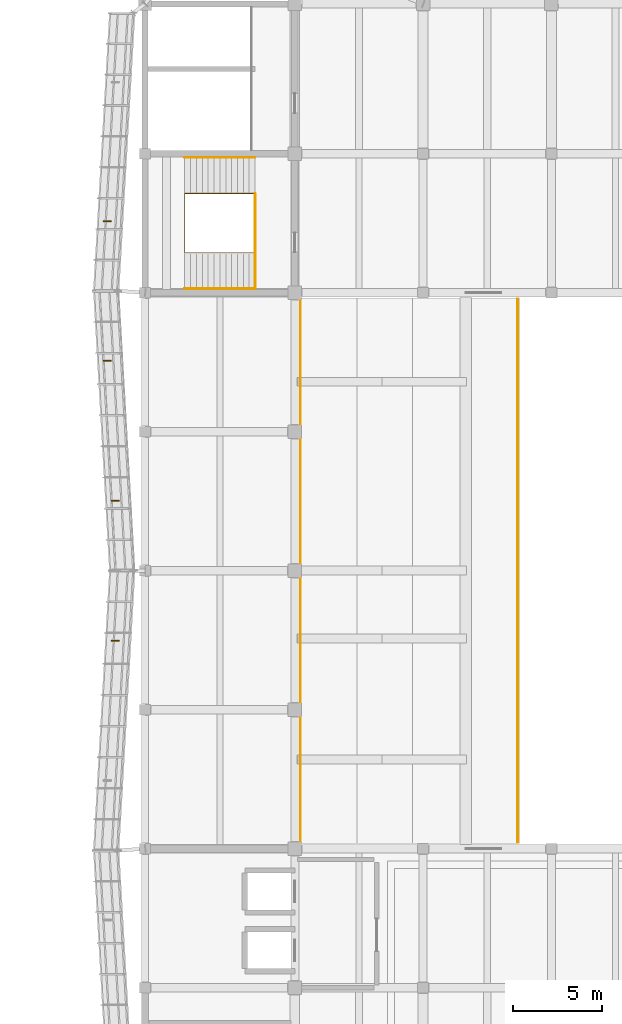
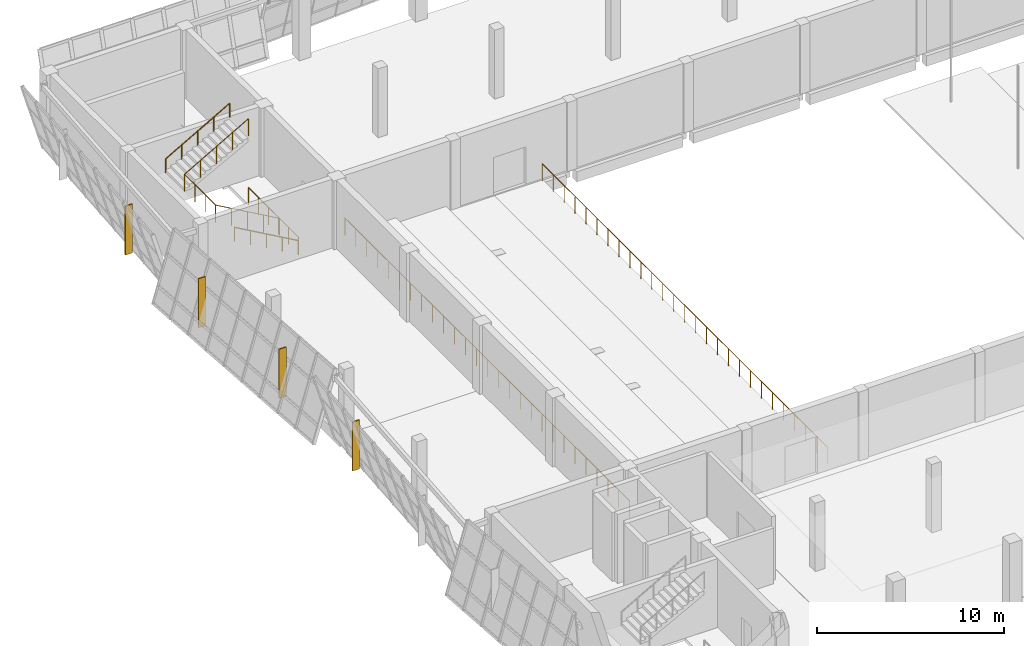
# One storey, part 65 of 71: 6 railings, 4 shading devices.
"""IFC4 building model written with IfcOpenShell, lengths in metres."""

import ifcopenshell
import ifcopenshell.guid

model = None  # the IFC model being written
_history = None  # IfcOwnerHistory: only IFC2X3 demands one
_inside = {}  # id of a spatial element -> (the spatial element, [elements in it])
_under = {}  # id of a project, library or spatial element -> (it, [spatial elements below it])
_declared = {}  # id of a project -> (the project, [libraries it declares])
_typed = {}  # id of a type object -> (the type object, [elements of that type])
_made_of = {}  # id of a material, layer set ... -> (it, [elements and type objects made of it])


def new_model(schema):
    """Start an empty IFC model of exactly this schema.

    Asked for "IFC4X3", IfcOpenShell would pick the latest addendum, in which some entities
    have other attributes; the version numbers below select the first issue.
    IFC2X3 requires an IfcOwnerHistory on every rooted entity: one is made here for all.
    """
    global model, _history
    if schema == "IFC4X3":
        model = ifcopenshell.file(schema_version=(4, 3, 0, 0))
    else:
        model = ifcopenshell.file(schema=schema)
    _inside.clear()
    _under.clear()
    _declared.clear()
    _typed.clear()
    _made_of.clear()
    _history = None
    if model.schema == "IFC2X3":
        org = make("IfcOrganization", Name="unknown")
        user = make(
            "IfcPersonAndOrganization",
            ThePerson=make("IfcPerson", FamilyName="unknown"),
            TheOrganization=org,
        )
        app = make(
            "IfcApplication",
            ApplicationDeveloper=org,
            Version="unknown",
            ApplicationFullName="unknown",
            ApplicationIdentifier="unknown",
        )
        _history = make(
            "IfcOwnerHistory",
            OwningUser=user,
            OwningApplication=app,
            ChangeAction="ADDED",
            CreationDate=0,
        )
    return model


def make(cls, **values):
    """One entity of the class cls with the attributes given. An attribute that is None is left unset."""
    return model.create_entity(
        cls, **{name: value for name, value in values.items() if value is not None}
    )


def rooted(cls, **values):
    """An entity with a GlobalId (a new one), such as an element, a storey or a relation."""
    return make(cls, GlobalId=ifcopenshell.guid.new(), OwnerHistory=_history, **values)


def si_unit(unit_type, name, prefix=None):
    """IfcSIUnit, for example si_unit("LENGTHUNIT", "METRE", prefix="MILLI")."""
    return make("IfcSIUnit", UnitType=unit_type, Prefix=prefix, Name=name)


def assignment(units):
    """IfcUnitAssignment: the units of a project."""
    return None if units is None else make("IfcUnitAssignment", Units=units)


def point(xyz):
    """IfcCartesianPoint."""
    return None if xyz is None else make("IfcCartesianPoint", Coordinates=xyz)


def direction(xyz):
    """IfcDirection."""
    return None if xyz is None else make("IfcDirection", DirectionRatios=xyz)


def frame(location, z_axis=None, x_axis=None):
    """IfcAxis2Placement3D, a coordinate frame: its origin and axes. An axis left out is left unset."""
    return make(
        "IfcAxis2Placement3D",
        Location=point(location),
        Axis=direction(z_axis),
        RefDirection=direction(x_axis),
    )


def frame_2d(location, x_axis=None):
    """IfcAxis2Placement2D, a coordinate frame in the plane: its origin and x axis."""
    return make(
        "IfcAxis2Placement2D", Location=point(location), RefDirection=direction(x_axis)
    )


def origin():
    """The frame at (0, 0, 0) with its axes left unset."""
    return frame((0.0, 0.0, 0.0))


def origin_2d():
    """The frame at (0, 0) in the plane with its x axis left unset."""
    return frame_2d((0.0, 0.0))


def place(relative_to, where):
    """IfcLocalPlacement: puts the frame where relative to a parent placement (None: the world)."""
    return make(
        "IfcLocalPlacement", PlacementRelTo=relative_to, RelativePlacement=where
    )


def context(
    kind, dimensions, precision=None, world=None, true_north=None, identifier=None
):
    """IfcGeometricRepresentationContext, for example the 3D "Model" context."""
    return make(
        "IfcGeometricRepresentationContext",
        ContextIdentifier=identifier,
        ContextType=kind,
        CoordinateSpaceDimension=dimensions,
        Precision=precision,
        WorldCoordinateSystem=world,
        TrueNorth=true_north,
    )


def subcontext(parent, identifier, kind, view, scale=None):
    """IfcGeometricRepresentationSubContext, for example "Body" below "Model"."""
    return make(
        "IfcGeometricRepresentationSubContext",
        ContextIdentifier=identifier,
        ContextType=kind,
        ParentContext=parent,
        TargetScale=scale,
        TargetView=view,
    )


def project(units=None, contexts=None):
    """IfcProject with its units and contexts."""
    return rooted(
        "IfcProject",
        Name="project",
        RepresentationContexts=contexts,
        UnitsInContext=assignment(units),
    )


def spatial(cls, under=None, at=None, **own):
    """A site, building, storey or space (cls), placed at a placement, below another one or the project."""
    s = rooted(cls, ObjectPlacement=at, **own)
    if under is not None:
        _under.setdefault(under.id(), (under, []))[1].append(s)
    return s


def profile(cls, at=None, kind="AREA", **sizes):
    """A parametric profile (cls). Its sizes go by their IFC names, for example OverallWidth=200.0."""
    return make(cls, ProfileType=kind, Position=at, **sizes)


def rectangle(**sizes):
    """IfcRectangleProfileDef."""
    return profile("IfcRectangleProfileDef", **sizes)


def circle(**sizes):
    """IfcCircleProfileDef."""
    return profile("IfcCircleProfileDef", **sizes)


def extrude(swept, where, along, depth):
    """IfcExtrudedAreaSolid: the profile swept, set in the frame where, extruded along a direction by depth."""
    return make(
        "IfcExtrudedAreaSolid",
        SweptArea=swept,
        Position=where,
        ExtrudedDirection=direction(along),
        Depth=depth,
    )


def shape(context_of_items, identifier, shape_type, items):
    """IfcShapeRepresentation: the items that make up one representation, for example the "Body"."""
    return make(
        "IfcShapeRepresentation",
        ContextOfItems=context_of_items,
        RepresentationIdentifier=identifier,
        RepresentationType=shape_type,
        Items=items,
    )


def material(Name=None, Category=None):
    """IfcMaterial."""
    return make("IfcMaterial", Name=Name, Category=Category)


def made_of(thing, what):
    """Note that an element or type object is made of a material, layer set ...; save() writes the relation."""
    if what is not None:
        _made_of.setdefault(what.id(), (what, []))[1].append(thing)
    return thing


def type_object(cls, material=None, **own):
    """A type object (cls), such as IfcWallType, which elements share."""
    return made_of(rooted(cls, **own), material)


def element(
    cls,
    number,
    at=None,
    inside=None,
    cuts=None,
    type_object=None,
    material=None,
    context=None,
    identifier="Body",
    shape_type=None,
    held_by="IfcProductDefinitionShape",
    body=None,
    shapes=None,
    **own,
):
    """One element of the class cls, such as IfcWall. Its Tag is "e" and its number.

    at: its placement. inside: the storey or other place that contains it. cuts: it is an
    opening in that element (IfcRelVoidsElement). A single representation is given by context,
    identifier, shape_type and body (its items); several are given by shapes. held_by: the class
    of the entity that holds the representations. save() writes the other relations.
    """
    e = rooted(cls, Tag="e%d" % number, ObjectPlacement=at, **own)
    if body is not None:
        shapes = [shape(context, identifier, shape_type, body)]
    if shapes is not None:
        e.Representation = make(held_by, Representations=shapes)
    if inside is not None:
        _inside.setdefault(inside.id(), (inside, []))[1].append(e)
    if cuts is not None:
        rooted(
            "IfcRelVoidsElement", RelatingBuildingElement=cuts, RelatedOpeningElement=e
        )
    if type_object is not None:
        _typed.setdefault(type_object.id(), (type_object, []))[1].append(e)
    return made_of(e, material)


def aggregate(whole, parts):
    """IfcRelAggregates: a whole, such as a stair, and the parts it consists of."""
    return rooted("IfcRelAggregates", RelatingObject=whole, RelatedObjects=parts)


def save(model, path):
    """Write the relations noted so far, then the file.

    IfcRelAggregates (storeys below a building ...), IfcRelContainedInSpatialStructure (elements
    in a storey), IfcRelDefinesByType, IfcRelAssociatesMaterial and IfcRelDeclares: one each for
    every whole, place, type object, material and project.
    """
    for whole, parts in _under.values():
        aggregate(whole, parts)
    for where, things in _inside.values():
        rooted(
            "IfcRelContainedInSpatialStructure",
            RelatedElements=things,
            RelatingStructure=where,
        )
    for kind, things in _typed.values():
        rooted("IfcRelDefinesByType", RelatedObjects=things, RelatingType=kind)
    for what, things in _made_of.values():
        rooted("IfcRelAssociatesMaterial", RelatedObjects=things, RelatingMaterial=what)
    for by, libraries in _declared.values():
        rooted("IfcRelDeclares", RelatingContext=by, RelatedDefinitions=libraries)
    model.write(path)


model = new_model("IFC4")

# Units and contexts
model_context = context("Model", 3, precision=1e-05, world=origin(), true_north=direction((0.0, 1.0)))
body_context = subcontext(model_context, "Body", "Model", "MODEL_VIEW")
ifc_project = project(units=[si_unit("LENGTHUNIT", "METRE"), si_unit("AREAUNIT", "SQUARE_METRE"), si_unit("VOLUMEUNIT", "CUBIC_METRE"), si_unit("PLANEANGLEUNIT", "RADIAN"), si_unit("MASSUNIT", "GRAM", prefix="KILO")], contexts=[model_context])

# Site, building, storey
site_placement = place(None, origin())
site = spatial("IfcSite", under=ifc_project, at=site_placement, CompositionType="ELEMENT")
building_placement = place(site_placement, origin())
building = spatial("IfcBuilding", under=site, at=building_placement, Name="Pellamere Symphony Hall", CompositionType="ELEMENT")
storey_placement = place(building_placement, frame((0.0, 0.0, 15.0)))
storey = spatial("IfcBuildingStorey", under=building, at=storey_placement, Name="L03", CompositionType="ELEMENT", Elevation=15.0)

# Railings
ifc_material_1 = material(Name="Laminated Low-Iron Acoustic Balustrade Glass", Category="glass")
railing_type_1 = type_object("IfcRailingType", Name="Balustrade BL-01 H1120 Laminated", PredefinedType="BALUSTRADE", material=ifc_material_1)
railing_1_placement = place(storey_placement, frame((71.320068359375, 46.550048828125, 0.0)))
element("IfcRailing", 1, at=railing_1_placement, inside=storey, type_object=railing_type_1, Name="Main Hall Choir Gallery Cross-Aisle Concourse Front Balustrade", PredefinedType="BALUSTRADE", context=body_context, shape_type="SweptSolid", body=[
    extrude(circle(Radius=0.02392578125, at=origin_2d()), frame((0.0, 0.0, 1.09619140625), z_axis=(0.0, 1.0, 0.0), x_axis=(-1.0, 0.0, 0.0)), (0.0, 0.0, 1.0), 30.5),
    extrude(circle(Radius=0.02099609375, at=origin_2d()), origin(), (0.0, 0.0, 1.0), 1.072021484375),
    extrude(circle(Radius=0.02099609375, at=origin_2d()), frame((0.0, 1.173095703125, 0.0)), (0.0, 0.0, 1.0), 1.072021484375),
    extrude(circle(Radius=0.02099609375, at=origin_2d()), frame((0.0, 2.34619140625, 0.0)), (0.0, 0.0, 1.0), 1.072021484375),
    extrude(circle(Radius=0.02099609375, at=origin_2d()), frame((0.0, 3.519287109375, 0.0)), (0.0, 0.0, 1.0), 1.072021484375),
    extrude(circle(Radius=0.02099609375, at=origin_2d()), frame((0.0, 4.6923828125, 0.0)), (0.0, 0.0, 1.0), 1.072021484375),
    extrude(circle(Radius=0.02099609375, at=origin_2d()), frame((0.0, 5.865478515625, 0.0)), (0.0, 0.0, 1.0), 1.072021484375),
    extrude(circle(Radius=0.02099609375, at=origin_2d()), frame((0.0, 7.03857421875, 0.0)), (0.0, 0.0, 1.0), 1.072021484375),
    extrude(circle(Radius=0.02099609375, at=origin_2d()), frame((0.0, 8.21142578125, 0.0)), (0.0, 0.0, 1.0), 1.072021484375),
    extrude(circle(Radius=0.02099609375, at=origin_2d()), frame((0.0, 9.384521484375, 0.0)), (0.0, 0.0, 1.0), 1.072021484375),
    extrude(circle(Radius=0.02099609375, at=origin_2d()), frame((0.0, 10.5576171875, 0.0)), (0.0, 0.0, 1.0), 1.072021484375),
    extrude(circle(Radius=0.02099609375, at=origin_2d()), frame((0.0, 11.730712890625, 0.0)), (0.0, 0.0, 1.0), 1.072021484375),
    extrude(circle(Radius=0.02099609375, at=origin_2d()), frame((0.0, 12.90380859375, 0.0)), (0.0, 0.0, 1.0), 1.072021484375),
    extrude(circle(Radius=0.02099609375, at=origin_2d()), frame((0.0, 14.076904296875, 0.0)), (0.0, 0.0, 1.0), 1.072021484375),
    extrude(circle(Radius=0.02099609375, at=origin_2d()), frame((0.0, 15.25, 0.0)), (0.0, 0.0, 1.0), 1.072021484375),
    extrude(circle(Radius=0.02099609375, at=origin_2d()), frame((0.0, 16.423095703125, 0.0)), (0.0, 0.0, 1.0), 1.072021484375),
    extrude(circle(Radius=0.02099609375, at=origin_2d()), frame((0.0, 17.59619140625, 0.0)), (0.0, 0.0, 1.0), 1.072021484375),
    extrude(circle(Radius=0.02099609375, at=origin_2d()), frame((0.0, 18.769287109375, 0.0)), (0.0, 0.0, 1.0), 1.072021484375),
    extrude(circle(Radius=0.02099609375, at=origin_2d()), frame((0.0, 19.9423828125, 0.0)), (0.0, 0.0, 1.0), 1.072021484375),
    extrude(circle(Radius=0.02099609375, at=origin_2d()), frame((0.0, 21.115478515625, 0.0)), (0.0, 0.0, 1.0), 1.072021484375),
    extrude(circle(Radius=0.02099609375, at=origin_2d()), frame((0.0, 22.28857421875, 0.0)), (0.0, 0.0, 1.0), 1.072021484375),
    extrude(circle(Radius=0.02099609375, at=origin_2d()), frame((0.0, 23.46142578125, 0.0)), (0.0, 0.0, 1.0), 1.072021484375),
    extrude(circle(Radius=0.02099609375, at=origin_2d()), frame((0.0, 24.634521484375, 0.0)), (0.0, 0.0, 1.0), 1.072021484375),
    extrude(circle(Radius=0.02099609375, at=origin_2d()), frame((0.0, 25.8076171875, 0.0)), (0.0, 0.0, 1.0), 1.072021484375),
    extrude(circle(Radius=0.02099609375, at=origin_2d()), frame((0.0, 26.980712890625, 0.0)), (0.0, 0.0, 1.0), 1.072021484375),
    extrude(circle(Radius=0.02099609375, at=origin_2d()), frame((0.0, 28.15380859375, 0.0)), (0.0, 0.0, 1.0), 1.072021484375),
    extrude(circle(Radius=0.02099609375, at=origin_2d()), frame((0.0, 29.326904296875, 0.0)), (0.0, 0.0, 1.0), 1.072021484375),
    extrude(circle(Radius=0.02099609375, at=origin_2d()), frame((0.0, 30.5, 0.0)), (0.0, 0.0, 1.0), 1.072021484375),
])
ifc_material_2 = material(Name="Architectural Bronze-Anodised Aluminium Balustrade", Category="aluminium")
railing_type_2 = type_object("IfcRailingType", Name="Balustrade BL-02 H1150 Architectural", PredefinedType="BALUSTRADE", material=ifc_material_2)
railing_2_placement = place(storey_placement, frame((59.1201171875, 46.550048828125, 0.699951171875)))
element("IfcRailing", 2, at=railing_2_placement, inside=storey, type_object=railing_type_2, Name="Safety Guardrail BL-M-L03W", PredefinedType="BALUSTRADE", context=body_context, shape_type="SweptSolid", body=[
    extrude(circle(Radius=0.02392578125, at=origin_2d()), frame((0.0, 0.0, 1.1259765625), z_axis=(0.0, 1.0, 0.0), x_axis=(-1.0, 0.0, 0.0)), (0.0, 0.0, 1.0), 30.5),
    extrude(circle(Radius=0.02099609375, at=origin_2d()), origin(), (0.0, 0.0, 1.0), 1.101806640625),
    extrude(circle(Radius=0.02099609375, at=origin_2d()), frame((0.0, 1.173095703125, 0.0)), (0.0, 0.0, 1.0), 1.101806640625),
    extrude(circle(Radius=0.02099609375, at=origin_2d()), frame((0.0, 2.34619140625, 0.0)), (0.0, 0.0, 1.0), 1.101806640625),
    extrude(circle(Radius=0.02099609375, at=origin_2d()), frame((0.0, 3.519287109375, 0.0)), (0.0, 0.0, 1.0), 1.101806640625),
    extrude(circle(Radius=0.02099609375, at=origin_2d()), frame((0.0, 4.6923828125, 0.0)), (0.0, 0.0, 1.0), 1.101806640625),
    extrude(circle(Radius=0.02099609375, at=origin_2d()), frame((0.0, 5.865478515625, 0.0)), (0.0, 0.0, 1.0), 1.101806640625),
    extrude(circle(Radius=0.02099609375, at=origin_2d()), frame((0.0, 7.03857421875, 0.0)), (0.0, 0.0, 1.0), 1.101806640625),
    extrude(circle(Radius=0.02099609375, at=origin_2d()), frame((0.0, 8.21142578125, 0.0)), (0.0, 0.0, 1.0), 1.101806640625),
    extrude(circle(Radius=0.02099609375, at=origin_2d()), frame((0.0, 9.384521484375, 0.0)), (0.0, 0.0, 1.0), 1.101806640625),
    extrude(circle(Radius=0.02099609375, at=origin_2d()), frame((0.0, 10.5576171875, 0.0)), (0.0, 0.0, 1.0), 1.101806640625),
    extrude(circle(Radius=0.02099609375, at=origin_2d()), frame((0.0, 11.730712890625, 0.0)), (0.0, 0.0, 1.0), 1.101806640625),
    extrude(circle(Radius=0.02099609375, at=origin_2d()), frame((0.0, 12.90380859375, 0.0)), (0.0, 0.0, 1.0), 1.101806640625),
    extrude(circle(Radius=0.02099609375, at=origin_2d()), frame((0.0, 14.076904296875, 0.0)), (0.0, 0.0, 1.0), 1.101806640625),
    extrude(circle(Radius=0.02099609375, at=origin_2d()), frame((0.0, 15.25, 0.0)), (0.0, 0.0, 1.0), 1.101806640625),
    extrude(circle(Radius=0.02099609375, at=origin_2d()), frame((0.0, 16.423095703125, 0.0)), (0.0, 0.0, 1.0), 1.101806640625),
    extrude(circle(Radius=0.02099609375, at=origin_2d()), frame((0.0, 17.59619140625, 0.0)), (0.0, 0.0, 1.0), 1.101806640625),
    extrude(circle(Radius=0.02099609375, at=origin_2d()), frame((0.0, 18.769287109375, 0.0)), (0.0, 0.0, 1.0), 1.101806640625),
    extrude(circle(Radius=0.02099609375, at=origin_2d()), frame((0.0, 19.9423828125, 0.0)), (0.0, 0.0, 1.0), 1.101806640625),
    extrude(circle(Radius=0.02099609375, at=origin_2d()), frame((0.0, 21.115478515625, 0.0)), (0.0, 0.0, 1.0), 1.101806640625),
    extrude(circle(Radius=0.02099609375, at=origin_2d()), frame((0.0, 22.28857421875, 0.0)), (0.0, 0.0, 1.0), 1.101806640625),
    extrude(circle(Radius=0.02099609375, at=origin_2d()), frame((0.0, 23.46142578125, 0.0)), (0.0, 0.0, 1.0), 1.101806640625),
    extrude(circle(Radius=0.02099609375, at=origin_2d()), frame((0.0, 24.634521484375, 0.0)), (0.0, 0.0, 1.0), 1.101806640625),
    extrude(circle(Radius=0.02099609375, at=origin_2d()), frame((0.0, 25.8076171875, 0.0)), (0.0, 0.0, 1.0), 1.101806640625),
    extrude(circle(Radius=0.02099609375, at=origin_2d()), frame((0.0, 26.980712890625, 0.0)), (0.0, 0.0, 1.0), 1.101806640625),
    extrude(circle(Radius=0.02099609375, at=origin_2d()), frame((0.0, 28.15380859375, 0.0)), (0.0, 0.0, 1.0), 1.101806640625),
    extrude(circle(Radius=0.02099609375, at=origin_2d()), frame((0.0, 29.326904296875, 0.0)), (0.0, 0.0, 1.0), 1.101806640625),
    extrude(circle(Radius=0.02099609375, at=origin_2d()), frame((0.0, 30.5, 0.0)), (0.0, 0.0, 1.0), 1.101806640625),
])

# Shading devices
ifc_material_3 = material(Name="Champagne-Anodised Extruded Aluminium 6063-T6", Category="aluminium")
shading_device_type = type_object("IfcShadingDeviceType", Name="Exterior Shading SD-01 65x450", PredefinedType="SHUTTER", material=ifc_material_3)
for number, where, z_axis, x_axis, name in (
    (3, (48.2685546875, 81.39990234375, 0.64990234375), (0.0, 0.0, 1.0), (0.0, 1.0, 0.0), "Crystal Acoustic Sunshade Fin CW-CR15 (L03)"),
    (4, (48.2685546875, 73.574951171875, 0.64990234375), (0.0, 0.0, 1.0), (0.0, 1.0, 0.0), "Crystal Acoustic Sunshade Fin CW-CR16 (L03)"),
    (5, (48.718505859375, 65.72509765625, 0.64990234375), (0.0, 0.0, 1.0), (0.0, 1.0, 0.0), "Crystal Acoustic Sunshade Fin CW-CR16 (L03)"),
    (6, (48.718505859375, 57.875, 0.64990234375), (0.0, 0.0, 1.0), (0.0, 1.0, 0.0), "Crystal Acoustic Sunshade Fin CW-CR17 (L03)"),
):
    element("IfcShadingDevice", number, at=place(storey_placement, frame(where, z_axis=z_axis, x_axis=x_axis)), inside=storey, type_object=shading_device_type, Name=name, PredefinedType="SHUTTER", context=body_context, shape_type="SweptSolid", body=[
        extrude(rectangle(XDim=0.06494140625, YDim=0.449951171875, at=origin_2d()), origin(), (0.0, 0.0, 1.0), 3.199951171875),
    ])

# Railings
ifc_material_4 = material(Name="Painted Steel CSA G40.21 350W", Category="steel")
railing_type_3 = type_object("IfcRailingType", Name="Guardrail GR-02 H1150 Painted", PredefinedType="GUARDRAIL", material=ifc_material_4)
railing_3_placement = place(storey_placement, frame((56.574951171875, 79.639892578125, 0.0)))
element("IfcRailing", 7, at=railing_3_placement, inside=storey, type_object=railing_type_3, Name="Stair ST07-L03 Continuous Well Guardrail (L03)", PredefinedType="GUARDRAIL", context=body_context, shape_type="SweptSolid", body=[
    extrude(circle(Radius=0.02392578125, at=origin_2d()), frame((0.0, 0.0, 1.1259765625), z_axis=(-0.868916562865, 0.0, 0.494958590974), x_axis=(0.0, -1.0, 0.0)), (0.0, 0.0, 1.0), 4.5458984375),
    extrude(circle(Radius=0.02392578125, at=origin_2d()), frame((-3.949951171875, 0.0, 3.3759765625), z_axis=(0.0, 1.0, 0.0), x_axis=(-1.0, 0.0, 0.0)), (0.0, 0.0, 1.0), 3.320068359375),
    extrude(circle(Radius=0.02392578125, at=origin_2d()), frame((-3.949951171875, 3.320068359375, 3.3759765625), z_axis=(0.868916562865, 0.0, 0.494958590974), x_axis=(0.0, 1.0, 0.0)), (0.0, 0.0, 1.0), 4.5458984375),
    extrude(circle(Radius=0.02099609375, at=origin_2d()), origin(), (0.0, 0.0, 1.0), 1.101806640625),
    extrude(circle(Radius=0.02099609375, at=origin_2d()), frame((-0.987548828125, 0.0, 0.5625)), (0.0, 0.0, 1.0), 1.101806640625),
    extrude(circle(Radius=0.02099609375, at=origin_2d()), frame((-1.97509765625, 0.0, 1.125)), (0.0, 0.0, 1.0), 1.101806640625),
    extrude(circle(Radius=0.02099609375, at=origin_2d()), frame((-2.96240234375, 0.0, 1.6875)), (0.0, 0.0, 1.0), 1.101806640625),
    extrude(circle(Radius=0.02099609375, at=origin_2d()), frame((-3.949951171875, 0.0, 2.25)), (0.0, 0.0, 1.0), 1.101806640625),
    extrude(circle(Radius=0.02099609375, at=origin_2d()), frame((-3.949951171875, 1.106689453125, 2.25)), (0.0, 0.0, 1.0), 1.101806640625),
    extrude(circle(Radius=0.02099609375, at=origin_2d()), frame((-3.949951171875, 2.21337890625, 2.25)), (0.0, 0.0, 1.0), 1.101806640625),
    extrude(circle(Radius=0.02099609375, at=origin_2d()), frame((-3.949951171875, 3.320068359375, 2.25)), (0.0, 0.0, 1.0), 1.101806640625),
    extrude(circle(Radius=0.02099609375, at=origin_2d()), frame((-2.96240234375, 3.320068359375, 2.8125)), (0.0, 0.0, 1.0), 1.101806640625),
    extrude(circle(Radius=0.02099609375, at=origin_2d()), frame((-1.97509765625, 3.320068359375, 3.375)), (0.0, 0.0, 1.0), 1.101806640625),
    extrude(circle(Radius=0.02099609375, at=origin_2d()), frame((-0.987548828125, 3.320068359375, 3.9375)), (0.0, 0.0, 1.0), 1.101806640625),
    extrude(circle(Radius=0.02099609375, at=origin_2d()), frame((0.0, 3.320068359375, 4.5)), (0.0, 0.0, 1.0), 1.101806640625),
])
railing_4_placement = place(storey_placement, frame((56.574951171875, 77.610107421875, 0.0)))
element("IfcRailing", 8, at=railing_4_placement, inside=storey, type_object=railing_type_3, Name="Stair ST07-L03 Landing Well Slot Guard (L03)", PredefinedType="GUARDRAIL", context=body_context, shape_type="SweptSolid", body=[
    extrude(circle(Radius=0.02392578125, at=origin_2d()), frame((0.0, 0.0, 1.1259765625), z_axis=(0.0, 1.0, 0.0), x_axis=(-1.0, 0.0, 0.0)), (0.0, 0.0, 1.0), 5.349853515625),
    extrude(circle(Radius=0.02099609375, at=origin_2d()), origin(), (0.0, 0.0, 1.0), 1.101806640625),
    extrude(circle(Radius=0.02099609375, at=origin_2d()), frame((0.0, 1.070068359375, 0.0)), (0.0, 0.0, 1.0), 1.101806640625),
    extrude(circle(Radius=0.02099609375, at=origin_2d()), frame((0.0, 2.139892578125, 0.0)), (0.0, 0.0, 1.0), 1.101806640625),
    extrude(circle(Radius=0.02099609375, at=origin_2d()), frame((0.0, 3.2099609375, 0.0)), (0.0, 0.0, 1.0), 1.101806640625),
    extrude(circle(Radius=0.02099609375, at=origin_2d()), frame((0.0, 4.27978515625, 0.0)), (0.0, 0.0, 1.0), 1.101806640625),
    extrude(circle(Radius=0.02099609375, at=origin_2d()), frame((0.0, 5.349853515625, 0.0)), (0.0, 0.0, 1.0), 1.101806640625),
])
ifc_material_5 = material(Name="Stainless Steel AISI 316", Category="steel")
railing_type_4 = type_object("IfcRailingType", Name="Handrail HR-01 H920 Stainless", PredefinedType="HANDRAIL", material=ifc_material_5)
railing_5_placement = place(storey_placement, frame((56.574951171875, 77.6201171875, 0.0)))
element("IfcRailing", 9, at=railing_5_placement, inside=storey, type_object=railing_type_4, Name="Stair ST07-L03 Lower Wall Handrail (L03)", PredefinedType="HANDRAIL", context=body_context, shape_type="SweptSolid", body=[
    extrude(circle(Radius=0.02392578125, at=origin_2d()), frame((0.0, 0.0, 0.89599609375), z_axis=(-0.868916562865, 0.0, 0.494958590974), x_axis=(0.0, -1.0, 0.0)), (0.0, 0.0, 1.0), 4.5458984375),
    extrude(circle(Radius=0.02099609375, at=origin_2d()), origin(), (0.0, 0.0, 1.0), 0.871826171875),
    extrude(circle(Radius=0.02099609375, at=origin_2d()), frame((-0.987548828125, 0.0, 0.5625)), (0.0, 0.0, 1.0), 0.871826171875),
    extrude(circle(Radius=0.02099609375, at=origin_2d()), frame((-1.97509765625, 0.0, 1.125)), (0.0, 0.0, 1.0), 0.871826171875),
    extrude(circle(Radius=0.02099609375, at=origin_2d()), frame((-2.96240234375, 0.0, 1.6875)), (0.0, 0.0, 1.0), 0.871826171875),
    extrude(circle(Radius=0.02099609375, at=origin_2d()), frame((-3.949951171875, 0.0, 2.25)), (0.0, 0.0, 1.0), 0.871826171875),
])
railing_6_placement = place(storey_placement, frame((52.625, 84.97998046875, 2.25)))
element("IfcRailing", 10, at=railing_6_placement, inside=storey, type_object=railing_type_4, Name="Stair ST07-L03 Upper Wall Handrail (L03)", PredefinedType="HANDRAIL", context=body_context, shape_type="SweptSolid", body=[
    extrude(circle(Radius=0.02392578125, at=origin_2d()), frame((0.0, 0.0, 0.89599609375), z_axis=(0.868916562865, 0.0, 0.494958590974), x_axis=(0.0, 1.0, 0.0)), (0.0, 0.0, 1.0), 4.5458984375),
    extrude(circle(Radius=0.02099609375, at=origin_2d()), origin(), (0.0, 0.0, 1.0), 0.871826171875),
    extrude(circle(Radius=0.02099609375, at=origin_2d()), frame((0.987548828125, 0.0, 0.5625)), (0.0, 0.0, 1.0), 0.871826171875),
    extrude(circle(Radius=0.02099609375, at=origin_2d()), frame((1.97509765625, 0.0, 1.125)), (0.0, 0.0, 1.0), 0.871826171875),
    extrude(circle(Radius=0.02099609375, at=origin_2d()), frame((2.96240234375, 0.0, 1.6875)), (0.0, 0.0, 1.0), 0.871826171875),
    extrude(circle(Radius=0.02099609375, at=origin_2d()), frame((3.949951171875, 0.0, 2.25)), (0.0, 0.0, 1.0), 0.871826171875),
])

save(model, "model.ifc")
